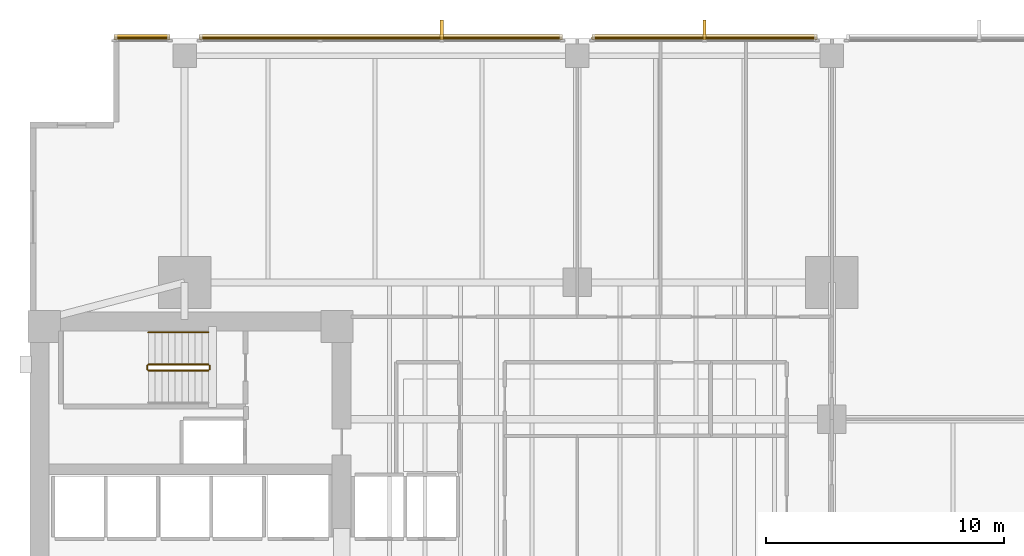
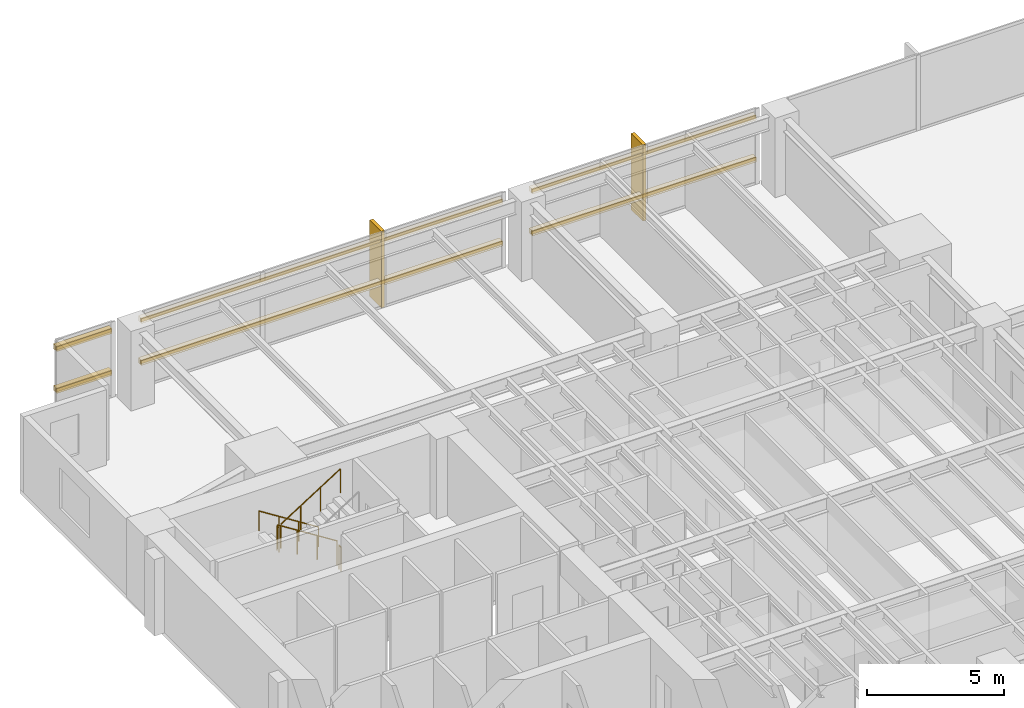
# One storey, part 15 of 16: 8 coverings, 6 shading devices, 5 railings.
"""IFC4 building model written with IfcOpenShell, lengths in metres."""

from ifc_helpers import new_model, si_unit, direction, frame, origin, origin_2d, place, context, subcontext, project, spatial, polyline, rectangle, circle, outline, extrude, material, layer, layer_set, material_profile, profile_set, type_object, element, save


model = new_model("IFC4")

# Units and contexts
model_context = context("Model", 3, precision=1e-05, world=origin(), true_north=direction((0.0, 1.0)))
body_context = subcontext(model_context, "Body", "Model", "MODEL_VIEW")
ifc_project = project(units=[si_unit("LENGTHUNIT", "METRE"), si_unit("AREAUNIT", "SQUARE_METRE"), si_unit("VOLUMEUNIT", "CUBIC_METRE"), si_unit("PLANEANGLEUNIT", "RADIAN"), si_unit("MASSUNIT", "GRAM", prefix="KILO")], contexts=[model_context])

# Site, building, storey
site_placement = place(None, origin())
site = spatial("IfcSite", under=ifc_project, at=site_placement, CompositionType="ELEMENT")
building_placement = place(site_placement, origin())
building = spatial("IfcBuilding", under=site, at=building_placement, Name="Kinhvarn Gate Tower", CompositionType="ELEMENT")
storey_placement = place(building_placement, frame((0.0, 0.0, 82.39990234375)))
storey = spatial("IfcBuildingStorey", under=building, at=storey_placement, Name="L21", CompositionType="ELEMENT", Elevation=82.39990234375)

# Coverings
ifc_material_1 = material(Name="Fired architectural terracotta", Category="masonry")
ifc_layer_1 = layer(ifc_material_1, 0.239990234375)
ifc_layer_set_1 = layer_set([ifc_layer_1], Name="Fired architectural terracotta")
covering_type_1 = type_object("IfcCoveringType", Name="COV-BAG-220", PredefinedType="CLADDING", material=ifc_layer_set_1)
for number, where, name in (
    (1, (0.0, 0.0, 0.940185546875), "Terracotta Horizontal Sunscreen Band TBG-220 (L21)"),
    (2, (0.0, 0.0, 2.81005859375), "Terracotta Horizontal Sunscreen Band TBG-220 (L21)"),
):
    element("IfcCovering", number, at=place(storey_placement, frame(where)), inside=storey, type_object=covering_type_1, Name=name, PredefinedType="CLADDING", context=body_context, shape_type="SweptSolid", body=[
        extrude(outline(polyline([(37.580078125, 47.93994140625), (28.1201171875, 47.93994140625), (28.1201171875, 48.179931640625), (37.580078125, 48.179931640625), (37.580078125, 47.93994140625)])), origin(), (0.0, 0.0, 1.0), 0.219970703125),
    ])
for number, where, name in (
    (3, (0.0, 0.0, 0.940185546875), "Terracotta Horizontal Sunscreen Band TBG-220 (L21)"),
    (4, (0.0, 0.0, 2.81005859375), "Terracotta Horizontal Sunscreen Band TBG-220 (L21)"),
):
    element("IfcCovering", number, at=place(storey_placement, frame(where)), inside=storey, type_object=covering_type_1, Name=name, PredefinedType="CLADDING", context=body_context, shape_type="SweptSolid", body=[
        extrude(outline(polyline([(26.8798828125, 47.93994140625), (11.6201171875, 47.93994140625), (11.6201171875, 48.179931640625), (26.8798828125, 48.179931640625), (26.8798828125, 47.93994140625)])), origin(), (0.0, 0.0, 1.0), 0.219970703125),
    ])
for number, where, name in (
    (5, (0.0, 0.0, 0.940185546875), "Terracotta Horizontal Sunscreen Band TBG-220 (L21)"),
    (6, (0.0, 0.0, 2.81005859375), "Terracotta Horizontal Sunscreen Band TBG-220 (L21)"),
):
    element("IfcCovering", number, at=place(storey_placement, frame(where)), inside=storey, type_object=covering_type_1, Name=name, PredefinedType="CLADDING", context=body_context, shape_type="SweptSolid", body=[
        extrude(outline(polyline([(10.3798828125, 47.93994140625), (8.0400390625, 47.93994140625), (8.0400390625, 48.179931640625), (10.3798828125, 48.179931640625), (10.3798828125, 47.93994140625)])), origin(), (0.0, 0.0, 1.0), 0.219970703125),
    ])
ifc_layer_2 = layer(ifc_material_1, 0.139892578125)
ifc_layer_set_2 = layer_set([ifc_layer_2], Name="Fired architectural terracotta")
covering_type_2 = type_object("IfcCoveringType", Name="COV-FIN-850", PredefinedType="CLADDING", material=ifc_layer_set_2)
covering_1_placement = place(storey_placement, frame((0.0, 0.0, -0.02001953125)))
element("IfcCovering", 7, at=covering_1_placement, inside=storey, type_object=covering_type_2, Name="Vertical Terracotta Expressive Fin TFN-850 (L21)", PredefinedType="CLADDING", context=body_context, shape_type="SweptSolid", body=[
    extrude(outline(polyline([(32.919921875, 47.929931640625), (32.780029296875, 47.929931640625), (32.780029296875, 48.780029296875), (32.919921875, 48.780029296875), (32.919921875, 47.929931640625)])), origin(), (0.0, 0.0, 1.0), 3.41015625),
])
covering_2_placement = place(storey_placement, frame((0.0, 0.0, -0.02001953125)))
element("IfcCovering", 8, at=covering_2_placement, inside=storey, type_object=covering_type_2, Name="Vertical Terracotta Expressive Fin TFN-850 (L21)", PredefinedType="CLADDING", context=body_context, shape_type="SweptSolid", body=[
    extrude(outline(polyline([(21.876708984375, 47.929931640625), (21.73681640625, 47.929931640625), (21.73681640625, 48.780029296875), (21.876708984375, 48.780029296875), (21.876708984375, 47.929931640625)])), origin(), (0.0, 0.0, 1.0), 3.41015625),
])

# Railings
ifc_material_2 = material(Name="Steel S355", Category="steel")
railing_type_1 = type_object("IfcRailingType", Name="RL-ST-GRD", PredefinedType="BALUSTRADE", material=ifc_material_2)
railing_1_placement = place(storey_placement, frame((12.0, 34.300048828125, 0.177490234375)))
element("IfcRailing", 9, at=railing_1_placement, inside=storey, type_object=railing_type_1, Name="L21 ST2 stair guard 1", PredefinedType="BALUSTRADE", context=body_context, shape_type="SweptSolid", body=[
    extrude(circle(Radius=0.02392578125, at=origin_2d()), frame((0.0, 0.0, 1.076171875), z_axis=(-0.84456994832, 0.0, 0.535445237532), x_axis=(0.0, -1.0, 0.0)), (0.0, 0.0, 1.0), 2.98388671875),
    extrude(circle(Radius=0.02099609375, at=origin_2d()), origin(), (0.0, 0.0, 1.0), 1.052001953125),
    extrude(circle(Radius=0.02099609375, at=origin_2d()), frame((-0.840087890625, 0.0, 0.532470703125)), (0.0, 0.0, 1.0), 1.052001953125),
    extrude(circle(Radius=0.02099609375, at=origin_2d()), frame((-1.679931640625, 0.0, 1.065185546875)), (0.0, 0.0, 1.0), 1.052001953125),
    extrude(circle(Radius=0.02099609375, at=origin_2d()), frame((-2.52001953125, 0.0, 1.59765625)), (0.0, 0.0, 1.0), 1.052001953125),
])
railing_2_placement = place(storey_placement, frame((9.429931640625, 34.25, 1.775146484375)))
element("IfcRailing", 10, at=railing_2_placement, inside=storey, type_object=railing_type_1, Name="L21 ST2 stair guard 2", PredefinedType="BALUSTRADE", context=body_context, shape_type="SweptSolid", body=[
    extrude(circle(Radius=0.02392578125, at=origin_2d()), frame((0.0, 0.0, 1.076171875), z_axis=(0.0, -1.0, 0.0), x_axis=(1.0, 0.0, 0.0)), (0.0, 0.0, 1.0), 0.14990234375),
    extrude(circle(Radius=0.02099609375, at=origin_2d()), origin(), (0.0, 0.0, 1.0), 1.052001953125),
    extrude(circle(Radius=0.02099609375, at=origin_2d()), frame((0.0, -0.14990234375, 0.0)), (0.0, 0.0, 1.0), 1.052001953125),
])
railing_3_placement = place(storey_placement, frame((9.47998046875, 34.050048828125, 1.95263671875)))
element("IfcRailing", 11, at=railing_3_placement, inside=storey, type_object=railing_type_1, Name="L21 ST2 stair guard 3", PredefinedType="BALUSTRADE", context=body_context, shape_type="SweptSolid", body=[
    extrude(circle(Radius=0.02392578125, at=origin_2d()), frame((0.0, 0.0, 1.076171875), z_axis=(0.84460694969, 0.0, 0.535386869969), x_axis=(0.0, 1.0, 0.0)), (0.0, 0.0, 1.0), 2.983642578125),
    extrude(circle(Radius=0.02099609375, at=origin_2d()), origin(), (0.0, 0.0, 1.0), 1.052001953125),
    extrude(circle(Radius=0.02099609375, at=origin_2d()), frame((0.840087890625, 0.0, 0.532470703125)), (0.0, 0.0, 1.0), 1.052001953125),
    extrude(circle(Radius=0.02099609375, at=origin_2d()), frame((1.679931640625, 0.0, 1.06494140625)), (0.0, 0.0, 1.0), 1.052001953125),
    extrude(circle(Radius=0.02099609375, at=origin_2d()), frame((2.52001953125, 0.0, 1.597412109375)), (0.0, 0.0, 1.0), 1.052001953125),
])
railing_4_placement = place(storey_placement, frame((12.050048828125, 34.25, 0.0)))
element("IfcRailing", 12, at=railing_4_placement, inside=storey, type_object=railing_type_1, Name="L21 ST2 stair guard 4", PredefinedType="BALUSTRADE", context=body_context, shape_type="SweptSolid", body=[
    extrude(circle(Radius=0.02392578125, at=origin_2d()), frame((0.0, 0.0, 1.076171875), z_axis=(0.0, -1.0, 0.0), x_axis=(1.0, 0.0, 0.0)), (0.0, 0.0, 1.0), 0.14990234375),
    extrude(circle(Radius=0.02099609375, at=origin_2d()), origin(), (0.0, 0.0, 1.0), 1.052001953125),
    extrude(circle(Radius=0.02099609375, at=origin_2d()), frame((0.0, -0.14990234375, 0.0)), (0.0, 0.0, 1.0), 1.052001953125),
])
railing_type_2 = type_object("IfcRailingType", Name="RL-ST-HND", PredefinedType="HANDRAIL", material=ifc_material_2)
railing_5_placement = place(storey_placement, frame((12.0, 35.64990234375, 0.177490234375)))
element("IfcRailing", 13, at=railing_5_placement, inside=storey, type_object=railing_type_2, Name="L21 ST2 stair handrail 1", PredefinedType="HANDRAIL", context=body_context, shape_type="SweptSolid", body=[
    extrude(circle(Radius=0.02392578125, at=origin_2d()), frame((0.0, 0.0, 0.8759765625), z_axis=(-0.84456994832, 0.0, 0.535445237532), x_axis=(0.0, -1.0, 0.0)), (0.0, 0.0, 1.0), 2.98388671875),
    extrude(circle(Radius=0.02099609375, at=origin_2d()), origin(), (0.0, 0.0, 1.0), 0.851806640625),
    extrude(circle(Radius=0.02099609375, at=origin_2d()), frame((-0.840087890625, 0.0, 0.532470703125)), (0.0, 0.0, 1.0), 0.851806640625),
    extrude(circle(Radius=0.02099609375, at=origin_2d()), frame((-1.679931640625, 0.0, 1.065185546875)), (0.0, 0.0, 1.0), 0.851806640625),
    extrude(circle(Radius=0.02099609375, at=origin_2d()), frame((-2.52001953125, 0.0, 1.59765625)), (0.0, 0.0, 1.0), 0.851806640625),
])

# Shading devices
ifc_material_profile = material_profile(ifc_material_1, rectangle(XDim=0.06005859375, YDim=0.139892578125, at=origin_2d()), Name="TC 60x140")
ifc_profile_set = profile_set([ifc_material_profile], Name="Fired architectural terracotta")
shading_device_type = type_object("IfcShadingDeviceType", Name="SHD-BAG-180", PredefinedType="USERDEFINED", material=ifc_profile_set)
for number, where, z_axis, x_axis, name in (
    (14, (37.580078125, 48.014892578125, 1.050048828125), (-1.0, 0.0, 0.0), (0.0, -1.0, 0.0), "Fired Terracotta Baguette Screen Rod 60x140 mm (L21)"),
    (15, (37.580078125, 48.014892578125, 2.920166015625), (-1.0, 0.0, 0.0), (0.0, -1.0, 0.0), "Fired Terracotta Baguette Screen Rod 60x140 mm (L21)"),
):
    element("IfcShadingDevice", number, at=place(storey_placement, frame(where, z_axis=z_axis, x_axis=x_axis)), inside=storey, type_object=shading_device_type, Name=name, ObjectType="BAGUETTE", PredefinedType="USERDEFINED", context=body_context, shape_type="SweptSolid", body=[
        extrude(rectangle(XDim=0.06005859375, YDim=0.139892578125, at=origin_2d()), origin(), (0.0, 0.0, 1.0), 9.4599609375),
    ])
for number, where, z_axis, x_axis, name in (
    (16, (26.8798828125, 48.014892578125, 1.050048828125), (-1.0, 0.0, 0.0), (0.0, -1.0, 0.0), "Fired Terracotta Baguette Screen Rod 60x140 mm (L21)"),
    (17, (26.8798828125, 48.014892578125, 2.920166015625), (-1.0, 0.0, 0.0), (0.0, -1.0, 0.0), "Fired Terracotta Baguette Screen Rod 60x140 mm (L21)"),
):
    element("IfcShadingDevice", number, at=place(storey_placement, frame(where, z_axis=z_axis, x_axis=x_axis)), inside=storey, type_object=shading_device_type, Name=name, ObjectType="BAGUETTE", PredefinedType="USERDEFINED", context=body_context, shape_type="SweptSolid", body=[
        extrude(rectangle(XDim=0.06005859375, YDim=0.139892578125, at=origin_2d()), origin(), (0.0, 0.0, 1.0), 15.259765625),
    ])
for number, where, z_axis, x_axis, name in (
    (18, (10.3798828125, 48.014892578125, 1.050048828125), (-1.0, 0.0, 0.0), (0.0, -1.0, 0.0), "Fired Terracotta Baguette Screen Rod 60x140 mm (L21)"),
    (19, (10.3798828125, 48.014892578125, 2.920166015625), (-1.0, 0.0, 0.0), (0.0, -1.0, 0.0), "Fired Terracotta Baguette Screen Rod 60x140 mm (L21)"),
):
    element("IfcShadingDevice", number, at=place(storey_placement, frame(where, z_axis=z_axis, x_axis=x_axis)), inside=storey, type_object=shading_device_type, Name=name, ObjectType="BAGUETTE", PredefinedType="USERDEFINED", context=body_context, shape_type="SweptSolid", body=[
        extrude(rectangle(XDim=0.06005859375, YDim=0.139892578125, at=origin_2d()), origin(), (0.0, 0.0, 1.0), 2.33984375),
    ])

save(model, "model.ifc")
